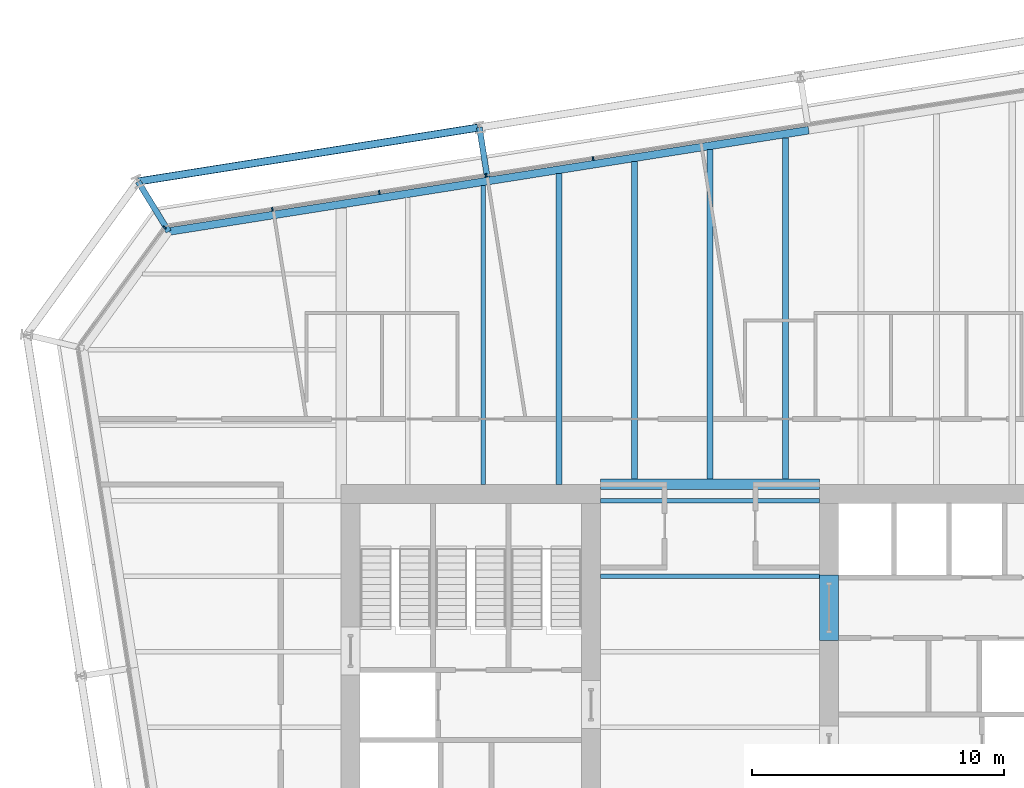
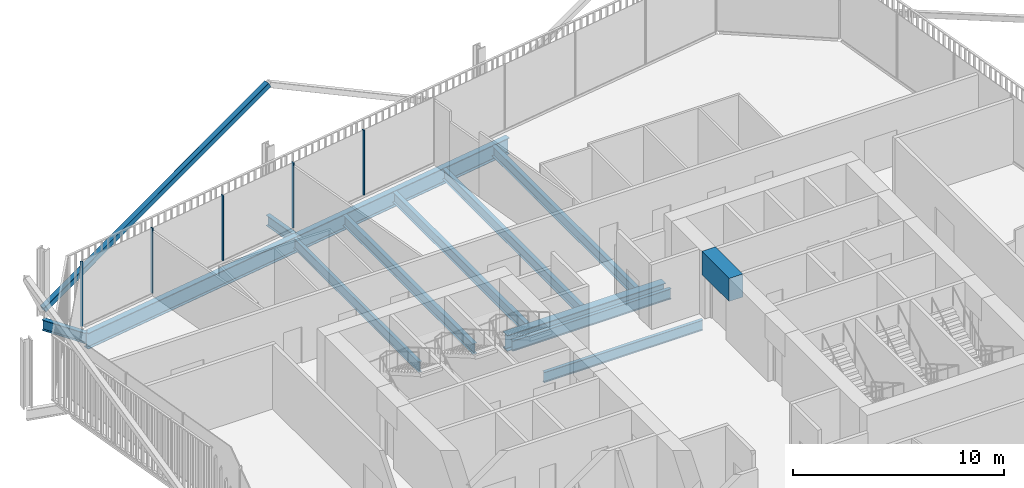
# One storey, part 11 of 22: 13 beams, 6 members, 2 elements without a shape of their own.
"""IFC4 building model written with IfcOpenShell, lengths in metres."""

from ifc_helpers import new_model, si_unit, direction, frame, origin, origin_2d, place, context, subcontext, project, spatial, rectangle, hollow_rectangle, i_section, extrude, material, layer, layer_set, material_profile, profile_set, type_object, element, aggregate, save


model = new_model("IFC4")

# Units and contexts
model_context = context("Model", 3, precision=1e-05, world=origin(), true_north=direction((0.0, 1.0)))
body_context = subcontext(model_context, "Body", "Model", "MODEL_VIEW")
ifc_project = project(units=[si_unit("LENGTHUNIT", "METRE"), si_unit("AREAUNIT", "SQUARE_METRE"), si_unit("VOLUMEUNIT", "CUBIC_METRE"), si_unit("PLANEANGLEUNIT", "RADIAN"), si_unit("MASSUNIT", "GRAM", prefix="KILO")], contexts=[model_context])

# Site, building, storey
site_placement = place(None, origin())
site = spatial("IfcSite", under=ifc_project, at=site_placement, CompositionType="ELEMENT")
building_placement = place(site_placement, origin())
building = spatial("IfcBuilding", under=site, at=building_placement, Name="Millrace Tower", CompositionType="ELEMENT")
storey_placement = place(building_placement, frame((0.0, 0.0, 180.0)))
storey = spatial("IfcBuildingStorey", under=building, at=storey_placement, Name="L40", CompositionType="ELEMENT", Elevation=180.0)

# Curtain wall, members
ifc_material_1 = material(Name="Aluminium and glass", Category="aluminium")
ifc_layer = layer(ifc_material_1, 0.14990234375)
ifc_layer_set = layer_set([ifc_layer], Name="Aluminium and glass")
curtain_wall_type = type_object("IfcCurtainWallType", Name="CW-1 office vision curtain wall", PredefinedType="NOTDEFINED", material=ifc_layer_set)
placement = place(storey_placement, origin())
curtain_wall_1 = element("IfcCurtainWall", 1, at=placement, inside=storey, type_object=curtain_wall_type, Name="Curtain wall C-F06 L40", PredefinedType="NOTDEFINED")
ifc_material_2 = material(Name="Aluminium", Category="aluminium")
ifc_material_profile_1 = material_profile(ifc_material_2, rectangle(XDim=0.06494140625, YDim=0.14990234375, at=origin_2d()))
ifc_profile_set_1 = profile_set([ifc_material_profile_1], Name="Aluminium")
member_type_1 = type_object("IfcMemberType", Name="CW-1 office vision curtain wall mullion", PredefinedType="MULLION", material=ifc_profile_set_1)
member_1_placement = place(storey_placement, frame((-4.6435546875, 22.59326171875, 0.139892578125), z_axis=(0.0, 0.0, 1.0), x_axis=(-0.98768833929, -0.15643447328, 0.0)))
member_1 = element("IfcMember", 2, at=member_1_placement, type_object=member_type_1, Name="CW1 mullion C-F06.6", PredefinedType="MULLION", context=body_context, shape_type="SweptSolid", body=[
    extrude(rectangle(XDim=0.06494140625, YDim=0.14990234375, at=origin_2d()), origin(), (0.0, 0.0, 1.0), 3.760009765625),
])
member_2_placement = place(storey_placement, frame((-8.890625, 21.920654296875, 0.139892578125), z_axis=(0.0, 0.0, 1.0), x_axis=(-0.98768833929, -0.15643447328, 0.0)))
member_2 = element("IfcMember", 3, at=member_2_placement, type_object=member_type_1, Name="CW1 mullion C-F06.7", PredefinedType="MULLION", context=body_context, shape_type="SweptSolid", body=[
    extrude(rectangle(XDim=0.06494140625, YDim=0.14990234375, at=origin_2d()), origin(), (0.0, 0.0, 1.0), 3.760009765625),
])
member_3_placement = place(storey_placement, frame((-13.1376953125, 21.248046875, 0.139892578125), z_axis=(0.0, 0.0, 1.0), x_axis=(-0.98768833929, -0.15643447328, 0.0)))
member_3 = element("IfcMember", 4, at=member_3_placement, type_object=member_type_1, Name="CW1 mullion C-F06.8", PredefinedType="MULLION", context=body_context, shape_type="SweptSolid", body=[
    extrude(rectangle(XDim=0.06494140625, YDim=0.14990234375, at=origin_2d()), origin(), (0.0, 0.0, 1.0), 3.760009765625),
])
member_4_placement = place(storey_placement, frame((-17.384765625, 20.575439453125, 0.139892578125), z_axis=(0.0, 0.0, 1.0), x_axis=(-0.98768833929, -0.15643447328, 0.0)))
member_4 = element("IfcMember", 5, at=member_4_placement, type_object=member_type_1, Name="CW1 mullion C-F06.9", PredefinedType="MULLION", context=body_context, shape_type="SweptSolid", body=[
    extrude(rectangle(XDim=0.06494140625, YDim=0.14990234375, at=origin_2d()), origin(), (0.0, 0.0, 1.0), 3.760009765625),
])
aggregate(curtain_wall_1, [member_1, member_2, member_3, member_4])

# Curtain wall, member
curtain_wall_2 = element("IfcCurtainWall", 6, at=placement, inside=storey, type_object=curtain_wall_type, Name="Curtain wall C-F07 L40", PredefinedType="NOTDEFINED")
member_5_placement = place(storey_placement, frame((-21.667724609375, 19.8515625, 0.139892578125), z_axis=(0.0, 0.0, 1.0), x_axis=(-0.587785269844, -0.809016981623, 0.0)))
member_5 = element("IfcMember", 7, at=member_5_placement, type_object=member_type_1, Name="CW1 mullion C-F07.1", PredefinedType="MULLION", context=body_context, shape_type="SweptSolid", body=[
    extrude(rectangle(XDim=0.06494140625, YDim=0.14990234375, at=origin_2d()), origin(), (0.0, 0.0, 1.0), 3.760009765625),
])
aggregate(curtain_wall_2, [member_5])

# Beam
ifc_material_3 = material(Name="Concrete C70", Category="concrete")
ifc_material_profile_2 = material_profile(ifc_material_3, rectangle(XDim=0.75, YDim=1.340087890625, at=origin_2d()))
ifc_profile_set_2 = profile_set([ifc_material_profile_2], Name="Concrete C70")
beam_type_1 = type_object("IfcBeamType", Name="Coupling beam 750 x 1340 Concrete C70, 2000 opening", PredefinedType="BEAM", material=ifc_profile_set_2)
beam_1_placement = place(storey_placement, frame((4.72509765625, 6.050048828125, 3.070068359375), z_axis=(0.0, -1.0, 0.0), x_axis=(1.0, 0.0, 0.0)))
element("IfcBeam", 8, at=beam_1_placement, inside=storey, type_object=beam_type_1, Name="Coupling beam E L40", PredefinedType="BEAM", context=body_context, shape_type="SweptSolid", body=[
    extrude(rectangle(XDim=0.75, YDim=1.340087890625, at=origin_2d()), origin(), (0.0, 0.0, 1.0), 2.60009765625),
])

# Member
ifc_material_4 = material(Name="Steel ASTM A500 Grade C", Category="steel")
ifc_material_profile_3 = material_profile(ifc_material_4, hollow_rectangle(XDim=0.3046875, YDim=0.3046875, WallThickness=0.0126953125, InnerFilletRadius=0.00634765625, OuterFilletRadius=0.01904296875, at=origin_2d()))
ifc_profile_set_3 = profile_set([ifc_material_profile_3], Name="Steel ASTM A500 Grade C")
member_type_2 = type_object("IfcMemberType", Name="Exoskeleton brace HSS12x12x1/2", PredefinedType="BRACE", material=ifc_profile_set_3)
member_6_placement = place(storey_placement, frame((-22.718994140625, 21.679443359375, 0.39990234375), z_axis=(0.879904612171, 0.139370908249, 0.454250617407), x_axis=(-0.156442906258, 0.987687003601, 0.0)))
element("IfcMember", 9, at=member_6_placement, inside=storey, type_object=member_type_2, Name="BRC-C-L40-12", PredefinedType="BRACE", context=body_context, shape_type="SweptSolid", body=[
    extrude(hollow_rectangle(XDim=0.3046875, YDim=0.3046875, WallThickness=0.0126953125, InnerFilletRadius=0.00634765625, OuterFilletRadius=0.01904296875, at=origin_2d()), origin(), (0.0, 0.0, 1.0), 15.409912109375),
])

# Beams
ifc_material_5 = material(Name="Steel ASTM A992 Grade 50", Category="steel")
ifc_material_profile_4 = material_profile(ifc_material_5, i_section(OverallWidth=0.177978515625, OverallDepth=0.599365234375, WebThickness=0.010009765625, FlangeThickness=0.012939453125, FilletRadius=0.012939453125, at=origin_2d()))
ifc_profile_set_4 = profile_set([ifc_material_profile_4], Name="Steel ASTM A992 Grade 50")
beam_type_2 = type_object("IfcBeamType", Name="Floor beam W24x55", PredefinedType="JOIST", material=ifc_profile_set_4)
for number, where, z_axis, x_axis, name in (
    (10, (-4.35009765625, 6.0, -0.459716796875), (1.0, 0.0, 0.0), (0.0, 1.0, 0.0), "BM-C-L40-S1-S025"),
    (11, (-4.35009765625, 9.0, -0.459716796875), (1.0, 0.0, 0.0), (0.0, 1.0, 0.0), "BM-C-L40-S1-S028"),
):
    element("IfcBeam", number, at=place(storey_placement, frame(where, z_axis=z_axis, x_axis=x_axis)), inside=storey, type_object=beam_type_2, Name=name, PredefinedType="JOIST", context=body_context, shape_type="SweptSolid", body=[
        extrude(i_section(OverallWidth=0.177978515625, OverallDepth=0.599365234375, WebThickness=0.010009765625, FlangeThickness=0.012939453125, FilletRadius=0.012939453125, at=origin_2d()), origin(), (0.0, 0.0, 1.0), 8.7001953125),
    ])
ifc_material_6 = material(Name="Steel ASTM A992 Grade 50", Category="steel")
ifc_material_profile_5 = material_profile(ifc_material_6, i_section(OverallWidth=0.1787109375, OverallDepth=0.60205078125, WebThickness=0.010986328125, FlangeThickness=0.014892578125, FilletRadius=0.0126953125, at=origin_2d()))
ifc_profile_set_5 = profile_set([ifc_material_profile_5], Name="Steel ASTM A992 Grade 50")
beam_type_3 = type_object("IfcBeamType", Name="Floor beam W24x62", PredefinedType="JOIST", material=ifc_profile_set_5)
beam_2_placement = place(storey_placement, frame((-9.0, 9.64990234375, -0.4609375), z_axis=(0.0, 1.0, 0.0), x_axis=(-1.0, 0.0, 0.0)))
element("IfcBeam", 12, at=beam_2_placement, inside=storey, type_object=beam_type_3, Name="BM-C-L40-S1-S041", PredefinedType="JOIST", context=body_context, shape_type="SweptSolid", body=[
    extrude(i_section(OverallWidth=0.1787109375, OverallDepth=0.60205078125, WebThickness=0.010986328125, FlangeThickness=0.014892578125, FilletRadius=0.0126953125, at=origin_2d()), origin(), (0.0, 0.0, 1.0), 11.866455078125),
])
ifc_material_7 = material(Name="Steel ASTM A992 Grade 50", Category="steel")
ifc_material_profile_6 = material_profile(ifc_material_7, i_section(OverallWidth=0.228271484375, OverallDepth=0.607177734375, WebThickness=0.01123046875, FlangeThickness=0.017333984375, FilletRadius=0.0126953125, at=origin_2d()))
ifc_profile_set_6 = profile_set([ifc_material_profile_6], Name="Steel ASTM A992 Grade 50")
beam_type_4 = type_object("IfcBeamType", Name="Floor beam W24x76", PredefinedType="JOIST", material=ifc_profile_set_6)
beam_3_placement = place(storey_placement, frame((-6.0, 9.64990234375, -0.463623046875), z_axis=(0.0, 1.0, 0.0), x_axis=(-1.0, 0.0, 0.0)))
element("IfcBeam", 13, at=beam_3_placement, inside=storey, type_object=beam_type_4, Name="BM-C-L40-S1-S043", PredefinedType="JOIST", context=body_context, shape_type="SweptSolid", body=[
    extrude(i_section(OverallWidth=0.228271484375, OverallDepth=0.607177734375, WebThickness=0.01123046875, FlangeThickness=0.017333984375, FilletRadius=0.0126953125, at=origin_2d()), origin(), (0.0, 0.0, 1.0), 12.341552734375),
])
beam_4_placement = place(storey_placement, frame((-3.0, 9.859619140625, -0.463623046875), z_axis=(0.0, 1.0, 0.0), x_axis=(-1.0, 0.0, 0.0)))
element("IfcBeam", 14, at=beam_4_placement, inside=storey, type_object=beam_type_4, Name="BM-C-L40-S1-S045", PredefinedType="JOIST", context=body_context, shape_type="SweptSolid", body=[
    extrude(i_section(OverallWidth=0.228271484375, OverallDepth=0.607177734375, WebThickness=0.01123046875, FlangeThickness=0.017333984375, FilletRadius=0.0126953125, at=origin_2d()), origin(), (0.0, 0.0, 1.0), 12.60693359375),
])
beam_5_placement = place(storey_placement, frame((0.0, 9.859619140625, -0.463623046875), z_axis=(0.0, 1.0, 0.0), x_axis=(-1.0, 0.0, 0.0)))
element("IfcBeam", 15, at=beam_5_placement, inside=storey, type_object=beam_type_4, Name="BM-C-L40-S1-S047", PredefinedType="JOIST", context=body_context, shape_type="SweptSolid", body=[
    extrude(i_section(OverallWidth=0.228271484375, OverallDepth=0.607177734375, WebThickness=0.01123046875, FlangeThickness=0.017333984375, FilletRadius=0.0126953125, at=origin_2d()), origin(), (0.0, 0.0, 1.0), 13.08203125),
])
beam_6_placement = place(storey_placement, frame((3.0, 9.859619140625, -0.463623046875), z_axis=(0.0, 1.0, 0.0), x_axis=(-1.0, 0.0, 0.0)))
element("IfcBeam", 16, at=beam_6_placement, inside=storey, type_object=beam_type_4, Name="BM-C-L40-S1-S049", PredefinedType="JOIST", context=body_context, shape_type="SweptSolid", body=[
    extrude(i_section(OverallWidth=0.228271484375, OverallDepth=0.607177734375, WebThickness=0.01123046875, FlangeThickness=0.017333984375, FilletRadius=0.0126953125, at=origin_2d()), origin(), (0.0, 0.0, 1.0), 13.55712890625),
])
ifc_material_8 = material(Name="Steel ASTM A992 Grade 50", Category="steel")
ifc_material_profile_7 = material_profile(ifc_material_8, i_section(OverallWidth=0.419189453125, OverallDepth=0.927001953125, WebThickness=0.019287109375, FlangeThickness=0.031982421875, FilletRadius=0.024169921875, at=origin_2d()))
ifc_profile_set_7 = profile_set([ifc_material_profile_7], Name="Steel ASTM A992 Grade 50")
beam_type_5 = type_object("IfcBeamType", Name="Girder short span W36x231", PredefinedType="BEAM", material=ifc_profile_set_7)
beam_7_placement = place(storey_placement, frame((-4.35009765625, 9.64990234375, -0.62353515625), z_axis=(1.0, 0.0, 0.0), x_axis=(0.0, 1.0, 0.0)))
element("IfcBeam", 17, at=beam_7_placement, inside=storey, type_object=beam_type_5, Name="BM-C-L40-S1-G061", PredefinedType="BEAM", context=body_context, shape_type="SweptSolid", body=[
    extrude(i_section(OverallWidth=0.419189453125, OverallDepth=0.927001953125, WebThickness=0.019287109375, FlangeThickness=0.031982421875, FilletRadius=0.024169921875, at=origin_2d()), origin(), (0.0, 0.0, 1.0), 8.7001953125),
])
ifc_material_9 = material(Name="Steel ASTM A992 Grade 50", Category="steel")
ifc_material_profile_8 = material_profile(ifc_material_9, i_section(OverallWidth=0.23046875, OverallDepth=0.6171875, WebThickness=0.01318359375, FlangeThickness=0.022216796875, FilletRadius=0.012939453125, at=origin_2d()))
ifc_profile_set_8 = profile_set([ifc_material_profile_8], Name="Steel ASTM A992 Grade 50")
beam_type_6 = type_object("IfcBeamType", Name="Link beam W24x94", PredefinedType="BEAM", material=ifc_profile_set_8)
beam_8_placement = place(storey_placement, frame((-21.5009765625, 19.69189453125, -0.468505859375), z_axis=(-0.522512938711, 0.852631355792, 0.0), x_axis=(-0.852631355792, -0.522512938711, 0.0)))
element("IfcBeam", 18, at=beam_8_placement, inside=storey, type_object=beam_type_6, Name="LNK-C-L40-S1-05", PredefinedType="BEAM", context=body_context, shape_type="SweptSolid", body=[
    extrude(i_section(OverallWidth=0.23046875, OverallDepth=0.6171875, WebThickness=0.01318359375, FlangeThickness=0.022216796875, FilletRadius=0.012939453125, at=origin_2d()), origin(), (0.0, 0.0, 1.0), 2.3310546875),
])
beam_9_placement = place(storey_placement, frame((-8.8466796875, 21.8515625, -0.468505859375), z_axis=(-0.156476509441, 0.987681680499, 0.0), x_axis=(-0.987681680499, -0.156476509441, 0.0)))
element("IfcBeam", 19, at=beam_9_placement, inside=storey, type_object=beam_type_6, Name="LNK-C-L40-S1-06", PredefinedType="BEAM", context=body_context, shape_type="SweptSolid", body=[
    extrude(i_section(OverallWidth=0.23046875, OverallDepth=0.6171875, WebThickness=0.01318359375, FlangeThickness=0.022216796875, FilletRadius=0.012939453125, at=origin_2d()), origin(), (0.0, 0.0, 1.0), 2.000244140625),
])
ifc_material_10 = material(Name="Steel ASTM A992 Grade 50", Category="steel")
ifc_material_profile_9 = material_profile(ifc_material_10, i_section(OverallWidth=0.307373046875, OverallDepth=0.927001953125, WebThickness=0.01953125, FlangeThickness=0.031982421875, FilletRadius=0.01904296875, at=origin_2d()))
ifc_profile_set_9 = profile_set([ifc_material_profile_9], Name="Steel ASTM A992 Grade 50")
beam_type_7 = type_object("IfcBeamType", Name="Ring beam medium span W36x194", PredefinedType="SPANDREL", material=ifc_profile_set_9)
beam_10_placement = place(storey_placement, frame((-21.5009765625, 19.69189453125, -0.62353515625), z_axis=(0.987688058438, 0.156436246498, 0.0), x_axis=(-0.156436246498, 0.987688058438, 0.0)))
element("IfcBeam", 20, at=beam_10_placement, inside=storey, type_object=beam_type_7, Name="RNG-C-L40-S1-05", PredefinedType="SPANDREL", context=body_context, shape_type="SweptSolid", body=[
    extrude(i_section(OverallWidth=0.307373046875, OverallDepth=0.927001953125, WebThickness=0.01953125, FlangeThickness=0.031982421875, FilletRadius=0.01904296875, at=origin_2d()), origin(), (0.0, 0.0, 1.0), 12.836181640625),
])
beam_11_placement = place(storey_placement, frame((-8.82275390625, 21.699951171875, -0.62353515625), z_axis=(0.987687659758, 0.156438763615, 0.0), x_axis=(-0.156438763615, 0.987687659758, 0.0)))
element("IfcBeam", 21, at=beam_11_placement, inside=storey, type_object=beam_type_7, Name="RNG-C-L40-S1-06", PredefinedType="SPANDREL", context=body_context, shape_type="SweptSolid", body=[
    extrude(i_section(OverallWidth=0.307373046875, OverallDepth=0.927001953125, WebThickness=0.01953125, FlangeThickness=0.031982421875, FilletRadius=0.01904296875, at=origin_2d()), origin(), (0.0, 0.0, 1.0), 12.900146484375),
])

save(model, "model.ifc")
